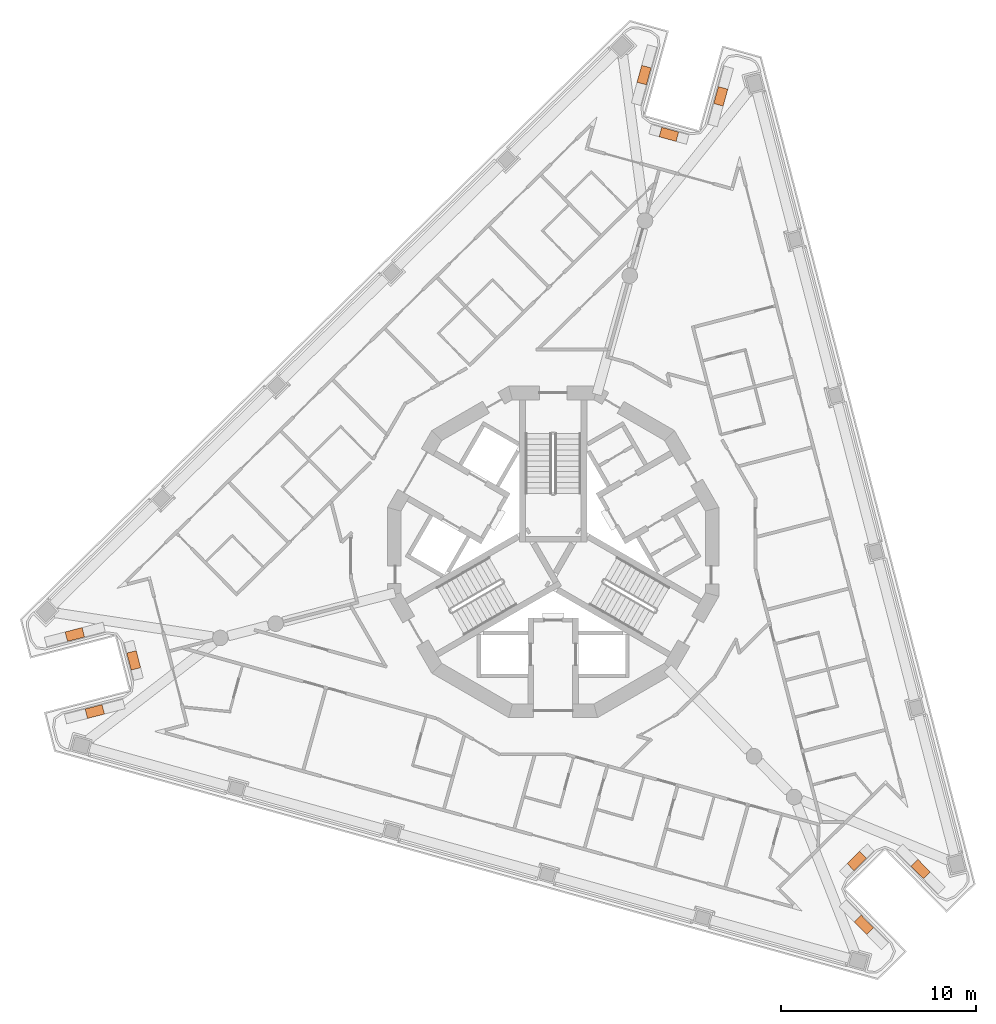
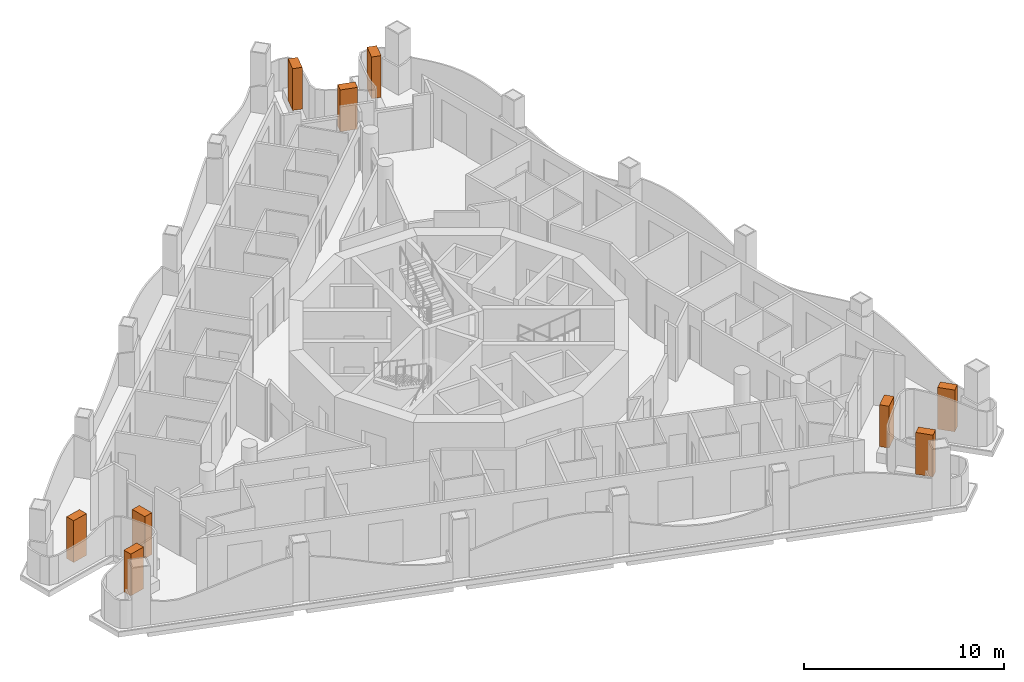
# One storey, part 14 of 14: 9 geographic elements.
"""IFC4 building model written with IfcOpenShell, lengths in metres."""

from ifc_helpers import new_model, si_unit, direction, frame, origin, origin_2d, place, context, subcontext, project, spatial, rectangle, extrude, element, save


model = new_model("IFC4")

# Units and contexts
model_context = context("Model", 3, precision=1e-05, world=origin(), true_north=direction((0.0, 1.0)))
body_context = subcontext(model_context, "Body", "Model", "MODEL_VIEW")
ifc_project = project(units=[si_unit("LENGTHUNIT", "METRE"), si_unit("AREAUNIT", "SQUARE_METRE"), si_unit("VOLUMEUNIT", "CUBIC_METRE"), si_unit("PLANEANGLEUNIT", "RADIAN"), si_unit("MASSUNIT", "GRAM", prefix="KILO")], contexts=[model_context])

# Site, building, storey
site_placement = place(None, origin())
site = spatial("IfcSite", under=ifc_project, at=site_placement, CompositionType="ELEMENT")
building_placement = place(site_placement, origin())
building = spatial("IfcBuilding", under=site, at=building_placement, Name="Trine Commons Tower", CompositionType="ELEMENT")
storey_placement = place(building_placement, frame((0.0, 0.0, 242.10009765625)))
storey = spatial("IfcBuildingStorey", under=building, at=storey_placement, Name="L63", CompositionType="ELEMENT", Elevation=242.10009765625)

# Geographic elements
for number, where, z_axis, x_axis, name in (
    (1, (56.49560546875, 54.314208984375, 0.60009765625), (0.0, 0.0, 1.0), (0.968152010186, 0.250363106652, 0.0), "Tree 1.1"),
    (2, (58.4921875, 56.937744140625, 0.60009765625), (0.0, 0.0, 1.0), (-0.250410419186, 0.968139773981, 0.0), "Tree 2.1"),
    (3, (55.473876953125, 58.264404296875, 0.60009765625), (0.0, 0.0, 1.0), (-0.968152010186, -0.250363106652, 0.0), "Tree 3.1"),
    (4, (84.6630859375, 86.948486328125, 0.60009765625), (0.0, 0.0, 1.0), (-0.26724005793, -0.963629986788, 0.0), "Tree 4.1"),
    (5, (85.936767578125, 83.907470703125, 0.60009765625), (0.0, 0.0, 1.0), (0.963633718069, -0.267226603091, 0.0), "Tree 5.1"),
    (6, (88.5947265625, 85.85791015625, 0.60009765625), (0.0, 0.0, 1.0), (0.26724005793, 0.963629986788, 0.0), "Tree 6.1"),
    (7, (98.84130859375, 46.2373046875, 0.60009765625), (0.0, 0.0, 1.0), (-0.700898060502, 0.713261458923, 0.0), "Tree 7.1"),
    (8, (95.57080078125, 46.65478515625, 0.60009765625), (0.0, 0.0, 1.0), (-0.713239439209, -0.700920467925, 0.0), "Tree 8.1"),
    (9, (95.931396484375, 43.377685546875, 0.60009765625), (0.0, 0.0, 1.0), (0.700898060502, -0.713261458923, 0.0), "Tree 9.1"),
):
    element("IfcGeographicElement", number, at=place(storey_placement, frame(where, z_axis=z_axis, x_axis=x_axis)), inside=storey, Name=name, ObjectType="TREE Tabebuia rosea", PredefinedType="USERDEFINED", context=body_context, shape_type="SweptSolid", body=[
        extrude(rectangle(XDim=0.89990234375, YDim=0.5, at=origin_2d()), origin(), (0.0, 0.0, 1.0), 2.550048828125),
    ])

save(model, "model.ifc")
